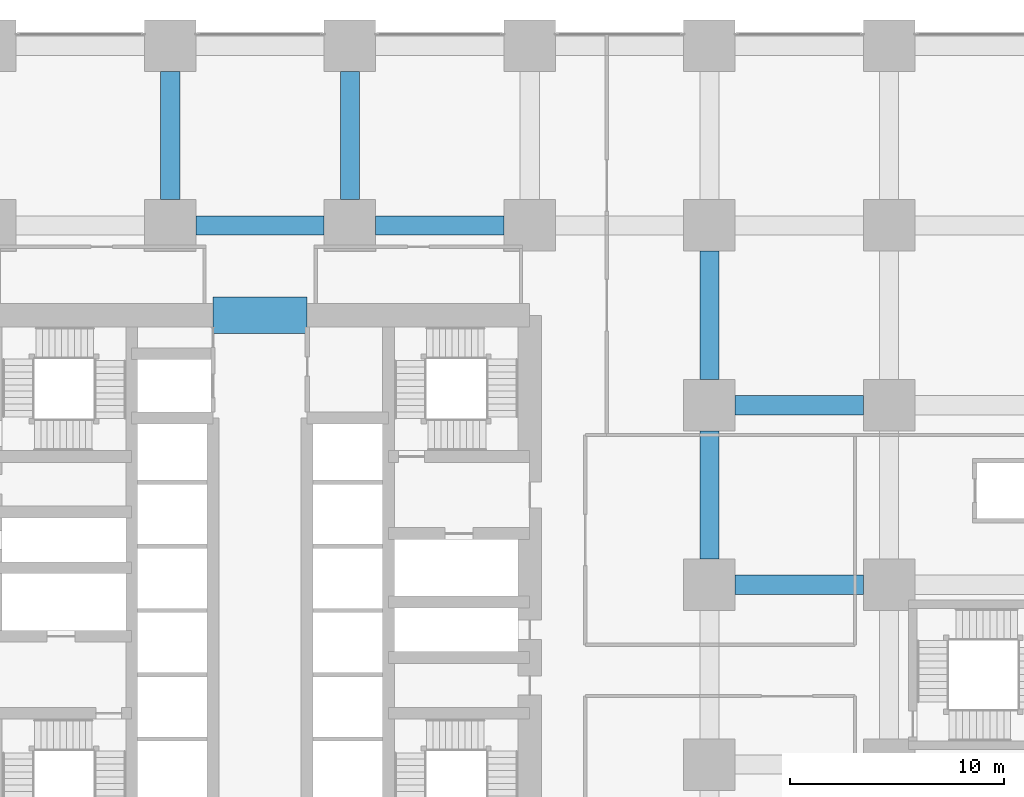
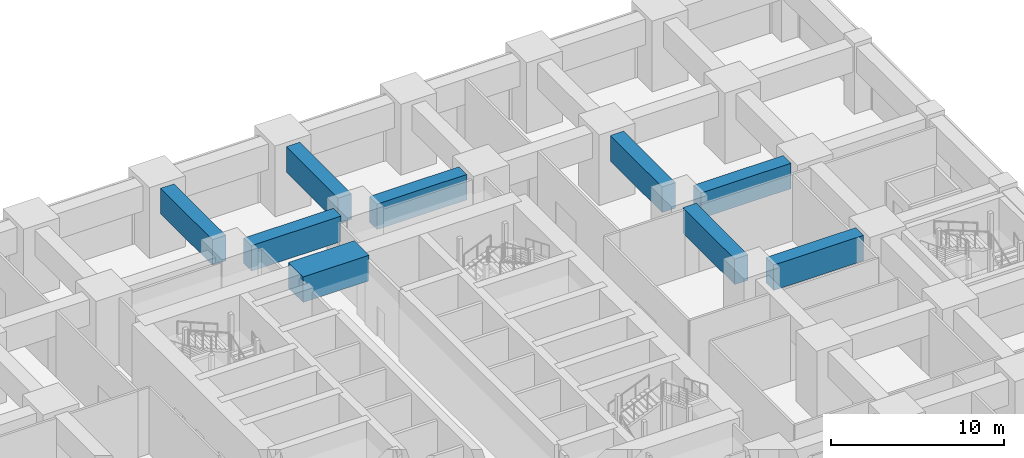
# One storey, part 26 of 49: 9 beams.
"""IFC4 building model written with IfcOpenShell, lengths in metres."""

from ifc_helpers import new_model, si_unit, direction, frame, origin, origin_2d, place, context, subcontext, project, spatial, rectangle, extrude, material, material_profile, profile_set, type_object, element, save


model = new_model("IFC4")

# Units and contexts
model_context = context("Model", 3, precision=1e-05, world=origin(), true_north=direction((0.0, 1.0)))
body_context = subcontext(model_context, "Body", "Model", "MODEL_VIEW")
ifc_project = project(units=[si_unit("LENGTHUNIT", "METRE"), si_unit("AREAUNIT", "SQUARE_METRE"), si_unit("VOLUMEUNIT", "CUBIC_METRE"), si_unit("PLANEANGLEUNIT", "RADIAN"), si_unit("MASSUNIT", "GRAM", prefix="KILO")], contexts=[model_context])

# Site, building, storey
site_placement = place(None, origin())
site = spatial("IfcSite", under=ifc_project, at=site_placement, CompositionType="ELEMENT")
building_placement = place(site_placement, origin())
building = spatial("IfcBuilding", under=site, at=building_placement, Name="Rekha Terrace Tower", CompositionType="ELEMENT")
storey_placement = place(building_placement, frame((0.0, 0.0, 5.39990234375)))
storey = spatial("IfcBuildingStorey", under=building, at=storey_placement, Name="L01", CompositionType="ELEMENT", Elevation=5.39990234375)

# Beams
ifc_material_1 = material(Name="Concrete M60", Category="concrete")
ifc_material_profile_1 = material_profile(ifc_material_1, rectangle(XDim=0.89990234375, YDim=1.800048828125, at=origin_2d()), Name="RC 900x1800")
ifc_profile_set_1 = profile_set([ifc_material_profile_1], Name="Concrete M60")
beam_type_1 = type_object("IfcBeamType", Name="G1 900x1800 podium floor beam", PredefinedType="BEAM", material=ifc_profile_set_1)
for number, where, z_axis, x_axis, name in (
    (1, (34.800048828125, 50.39990234375, 3.800048828125), (1.0, 0.0, 0.0), (0.0, 1.0, 0.0), "Beam G1 5G-6G under L02"),
    (2, (33.60009765625, 51.60009765625, 3.800048828125), (0.0, 1.0, 0.0), (-1.0, 0.0, 0.0), "Beam G1 5G-5H under L02"),
    (3, (43.199951171875, 50.39990234375, 3.800048828125), (1.0, 0.0, 0.0), (0.0, 1.0, 0.0), "Beam G1 6G-7G under L02"),
    (4, (42.0, 51.60009765625, 3.800048828125), (0.0, 1.0, 0.0), (-1.0, 0.0, 0.0), "Beam G1 6G-6H under L02"),
    (5, (60.0, 33.60009765625, 3.800048828125), (1.0, 0.0, 0.0), (0.0, 1.0, 0.0), "Beam G1 8E-9E under L02"),
    (6, (58.800048828125, 34.800048828125, 3.800048828125), (0.0, 1.0, 0.0), (-1.0, 0.0, 0.0), "Beam G1 8E-8F under L02"),
    (7, (60.0, 42.0, 3.800048828125), (1.0, 0.0, 0.0), (0.0, 1.0, 0.0), "Beam G1 8F-9F under L02"),
    (8, (58.800048828125, 43.199951171875, 3.800048828125), (0.0, 1.0, 0.0), (-1.0, 0.0, 0.0), "Beam G1 8F-8G under L02"),
):
    element("IfcBeam", number, at=place(storey_placement, frame(where, z_axis=z_axis, x_axis=x_axis)), inside=storey, type_object=beam_type_1, Name=name, PredefinedType="BEAM", context=body_context, shape_type="SweptSolid", body=[
        extrude(rectangle(XDim=0.89990234375, YDim=1.800048828125, at=origin_2d()), origin(), (0.0, 0.0, 1.0), 6.0),
    ])
ifc_material_2 = material(Name="Concrete M70", Category="concrete")
ifc_material_profile_2 = material_profile(ifc_material_2, rectangle(XDim=1.699951171875, YDim=1.800048828125, at=origin_2d()), Name="RC 1700x1800")
ifc_profile_set_2 = profile_set([ifc_material_profile_2], Name="Concrete M70")
beam_type_2 = type_object("IfcBeamType", Name="LB1B 1700x1800 diagonally reinforced coupling beam", PredefinedType="LINTEL", material=ifc_profile_set_2)
beam_placement = place(storey_placement, frame((35.60009765625, 46.199951171875, 4.10009765625), z_axis=(1.0, 0.0, 0.0), x_axis=(0.0, 1.0, 0.0)))
element("IfcBeam", 9, at=beam_placement, inside=storey, type_object=beam_type_2, Name="Coupling beam LB1B N L01", PredefinedType="LINTEL", context=body_context, shape_type="SweptSolid", body=[
    extrude(rectangle(XDim=1.699951171875, YDim=1.800048828125, at=origin_2d()), origin(), (0.0, 0.0, 1.0), 4.39990234375),
])

save(model, "model.ifc")
